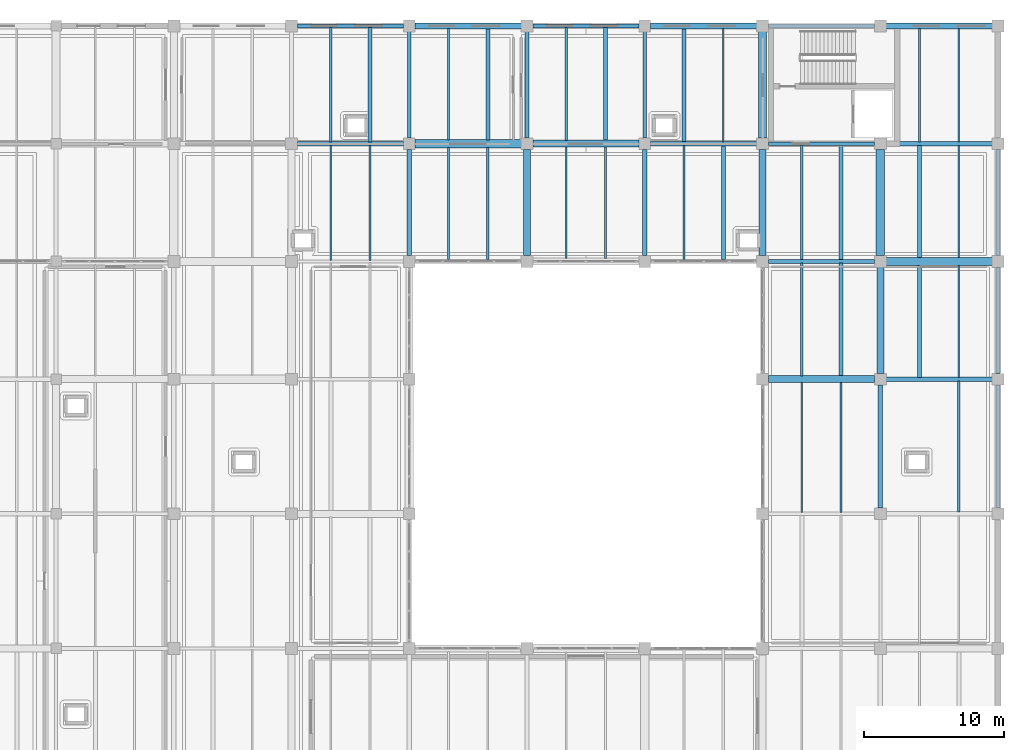
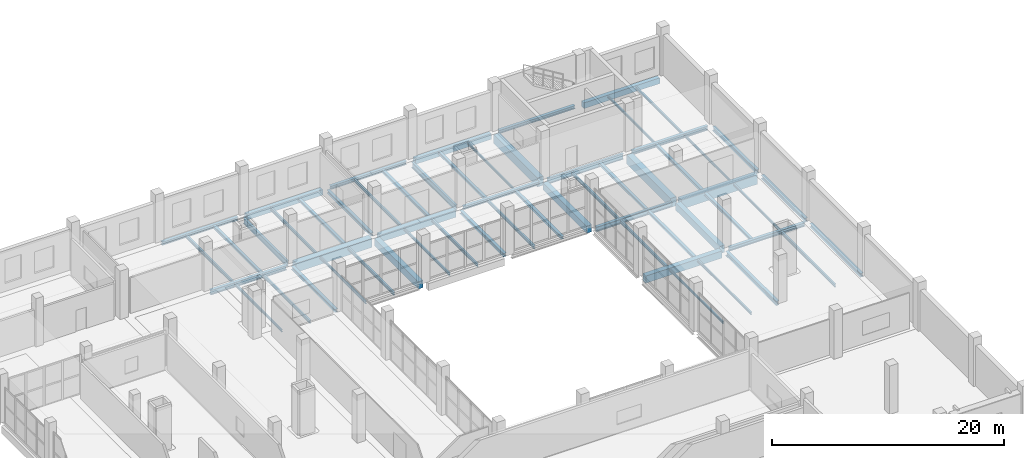
# One storey, part 37 of 66: 59 beams.
"""IFC4 building model written with IfcOpenShell, lengths in metres."""

from ifc_helpers import new_model, si_unit, direction, frame, origin, origin_2d, place, context, subcontext, project, spatial, rectangle, i_section, extrude, material, material_profile, profile_set, type_object, element, save


model = new_model("IFC4")

# Units and contexts
model_context = context("Model", 3, precision=1e-05, world=origin(), true_north=direction((0.0, 1.0)))
body_context = subcontext(model_context, "Body", "Model", "MODEL_VIEW")
ifc_project = project(units=[si_unit("LENGTHUNIT", "METRE"), si_unit("AREAUNIT", "SQUARE_METRE"), si_unit("VOLUMEUNIT", "CUBIC_METRE"), si_unit("PLANEANGLEUNIT", "RADIAN"), si_unit("MASSUNIT", "GRAM", prefix="KILO")], contexts=[model_context])

# Site, building, storey
site_placement = place(None, origin())
site = spatial("IfcSite", under=ifc_project, at=site_placement, CompositionType="ELEMENT")
building_placement = place(site_placement, origin())
building = spatial("IfcBuilding", under=site, at=building_placement, Name="Zulmaris Art Gallery", CompositionType="ELEMENT")
storey_placement = place(building_placement, frame((0.0, 0.0, 5.39990234375)))
storey = spatial("IfcBuildingStorey", under=building, at=storey_placement, Name="L01", CompositionType="ELEMENT", Elevation=5.39990234375)

# Beams
ifc_material_1 = material(Name="Steel S355J2", Category="steel")
ifc_material_profile_1 = material_profile(ifc_material_1, i_section(OverallWidth=0.219970703125, OverallDepth=0.60009765625, WebThickness=0.011962890625, FlangeThickness=0.01904296875, FilletRadius=0.02392578125, at=origin_2d()), Name="IPE 600")
ifc_profile_set_1 = profile_set([ifc_material_profile_1], Name="Steel S355J2")
beam_type_1 = type_object("IfcBeamType", Name="BEAM-BM07", PredefinedType="BEAM", material=ifc_profile_set_1)
beam_1_placement = place(storey_placement, frame((184.010009765625, 67.199951171875, -0.6298828125), z_axis=(1.0, 0.0, 0.0), x_axis=(0.0, 1.0, 0.0)))
element("IfcBeam", 1, at=beam_1_placement, inside=storey, type_object=beam_type_1, Name="L01 X-girder (183.6..192.0, y=67.2)", PredefinedType="BEAM", context=body_context, shape_type="SweptSolid", body=[
    extrude(i_section(OverallWidth=0.219970703125, OverallDepth=0.60009765625, WebThickness=0.011962890625, FlangeThickness=0.01904296875, FilletRadius=0.02392578125, at=origin_2d()), origin(), (0.0, 0.0, 1.0), 7.580078125),
])
for number, where, z_axis, x_axis, name in (
    (2, (158.39990234375, 67.610107421875, -0.6298828125), (0.0, 1.0, 0.0), (-1.0, 0.0, 0.0), "L01 Y-girder (x=158.4, 67.2..75.6)"),
    (3, (175.199951171875, 67.610107421875, -0.6298828125), (0.0, 1.0, 0.0), (-1.0, 0.0, 0.0), "L01 Y-girder (x=175.2, 67.2..75.6)"),
):
    element("IfcBeam", number, at=place(storey_placement, frame(where, z_axis=z_axis, x_axis=x_axis)), inside=storey, type_object=beam_type_1, Name=name, PredefinedType="BEAM", context=body_context, shape_type="SweptSolid", body=[
        extrude(i_section(OverallWidth=0.219970703125, OverallDepth=0.60009765625, WebThickness=0.011962890625, FlangeThickness=0.01904296875, FilletRadius=0.02392578125, at=origin_2d()), origin(), (0.0, 0.0, 1.0), 7.579833984375),
    ])
ifc_material_profile_2 = material_profile(ifc_material_1, i_section(OverallWidth=0.300048828125, OverallDepth=0.330078125, WebThickness=0.009521484375, FlangeThickness=0.0166015625, FilletRadius=0.027099609375, at=origin_2d()), Name="HEA 340")
ifc_profile_set_2 = profile_set([ifc_material_profile_2], Name="Steel S355J2")
beam_type_2 = type_object("IfcBeamType", Name="BEAM-BM08", PredefinedType="BEAM", material=ifc_profile_set_2)
beam_2_placement = place(storey_placement, frame((175.610107421875, 67.199951171875, -0.494873046875), z_axis=(1.0, 0.0, 0.0), x_axis=(0.0, 1.0, 0.0)))
element("IfcBeam", 4, at=beam_2_placement, inside=storey, type_object=beam_type_2, Name="L01 X-girder (175.2..183.6, y=67.2)", PredefinedType="BEAM", context=body_context, shape_type="SweptSolid", body=[
    extrude(i_section(OverallWidth=0.300048828125, OverallDepth=0.330078125, WebThickness=0.009521484375, FlangeThickness=0.0166015625, FilletRadius=0.027099609375, at=origin_2d()), origin(), (0.0, 0.0, 1.0), 7.579833984375),
])
beam_3_placement = place(storey_placement, frame((158.39990234375, 59.2099609375, -0.494873046875), z_axis=(0.0, 1.0, 0.0), x_axis=(-1.0, 0.0, 0.0)))
element("IfcBeam", 5, at=beam_3_placement, inside=storey, type_object=beam_type_2, Name="L01 Y-girder (x=158.4, 58.8..67.2)", PredefinedType="BEAM", context=body_context, shape_type="SweptSolid", body=[
    extrude(i_section(OverallWidth=0.300048828125, OverallDepth=0.330078125, WebThickness=0.009521484375, FlangeThickness=0.0166015625, FilletRadius=0.027099609375, at=origin_2d()), origin(), (0.0, 0.0, 1.0), 7.580078125),
])
beam_4_placement = place(storey_placement, frame((166.800048828125, 67.610107421875, -0.494873046875), z_axis=(0.0, 1.0, 0.0), x_axis=(-1.0, 0.0, 0.0)))
element("IfcBeam", 6, at=beam_4_placement, inside=storey, type_object=beam_type_2, Name="L01 Y-girder (x=166.8, 67.2..75.6)", PredefinedType="BEAM", context=body_context, shape_type="SweptSolid", body=[
    extrude(i_section(OverallWidth=0.300048828125, OverallDepth=0.330078125, WebThickness=0.009521484375, FlangeThickness=0.0166015625, FilletRadius=0.027099609375, at=origin_2d()), origin(), (0.0, 0.0, 1.0), 7.579833984375),
])
beam_5_placement = place(storey_placement, frame((175.199951171875, 59.2099609375, -0.494873046875), z_axis=(0.0, 1.0, 0.0), x_axis=(-1.0, 0.0, 0.0)))
element("IfcBeam", 7, at=beam_5_placement, inside=storey, type_object=beam_type_2, Name="L01 Y-girder (x=175.2, 58.8..67.2)", PredefinedType="BEAM", context=body_context, shape_type="SweptSolid", body=[
    extrude(i_section(OverallWidth=0.300048828125, OverallDepth=0.330078125, WebThickness=0.009521484375, FlangeThickness=0.0166015625, FilletRadius=0.027099609375, at=origin_2d()), origin(), (0.0, 0.0, 1.0), 7.580078125),
])
ifc_material_profile_3 = material_profile(ifc_material_1, i_section(OverallWidth=0.300048828125, OverallDepth=0.389892578125, WebThickness=0.010986328125, FlangeThickness=0.01904296875, FilletRadius=0.027099609375, at=origin_2d()), Name="HEA 400")
ifc_profile_set_3 = profile_set([ifc_material_profile_3], Name="Steel S355J2")
beam_type_3 = type_object("IfcBeamType", Name="BEAM-BM09", PredefinedType="BEAM", material=ifc_profile_set_3)
beam_6_placement = place(storey_placement, frame((192.409912109375, 50.39990234375, -0.52490234375), z_axis=(1.0, 0.0, 0.0), x_axis=(0.0, 1.0, 0.0)))
element("IfcBeam", 8, at=beam_6_placement, inside=storey, type_object=beam_type_3, Name="L01 X-girder (192.0..200.4, y=50.4)", PredefinedType="BEAM", context=body_context, shape_type="SweptSolid", body=[
    extrude(i_section(OverallWidth=0.300048828125, OverallDepth=0.389892578125, WebThickness=0.010986328125, FlangeThickness=0.01904296875, FilletRadius=0.027099609375, at=origin_2d()), origin(), (0.0, 0.0, 1.0), 7.580078125),
])
ifc_material_profile_4 = material_profile(ifc_material_1, i_section(OverallWidth=0.300048828125, OverallDepth=0.449951171875, WebThickness=0.013916015625, FlangeThickness=0.02587890625, FilletRadius=0.027099609375, at=origin_2d()), Name="HEB 450")
ifc_profile_set_4 = profile_set([ifc_material_profile_4], Name="Steel S355J2")
beam_type_4 = type_object("IfcBeamType", Name="BEAM-BM13", PredefinedType="BEAM", material=ifc_profile_set_4)
beam_7_placement = place(storey_placement, frame((192.409912109375, 67.199951171875, -0.554931640625), z_axis=(1.0, 0.0, 0.0), x_axis=(0.0, 1.0, 0.0)))
element("IfcBeam", 9, at=beam_7_placement, inside=storey, type_object=beam_type_4, Name="L01 X-girder (192.0..200.4, y=67.2)", PredefinedType="BEAM", context=body_context, shape_type="SweptSolid", body=[
    extrude(i_section(OverallWidth=0.300048828125, OverallDepth=0.449951171875, WebThickness=0.013916015625, FlangeThickness=0.02587890625, FilletRadius=0.027099609375, at=origin_2d()), origin(), (0.0, 0.0, 1.0), 7.580078125),
])
beam_8_placement = place(storey_placement, frame((192.0, 41.2099609375, -0.554931640625), z_axis=(0.0, 1.0, 0.0), x_axis=(-1.0, 0.0, 0.0)))
element("IfcBeam", 10, at=beam_8_placement, inside=storey, type_object=beam_type_4, Name="L01 Y-girder (x=192.0, 40.8..50.4)", PredefinedType="BEAM", context=body_context, shape_type="SweptSolid", body=[
    extrude(i_section(OverallWidth=0.300048828125, OverallDepth=0.449951171875, WebThickness=0.013916015625, FlangeThickness=0.02587890625, FilletRadius=0.027099609375, at=origin_2d()), origin(), (0.0, 0.0, 1.0), 8.780029296875),
])
ifc_material_profile_5 = material_profile(ifc_material_1, i_section(OverallWidth=0.300048828125, OverallDepth=0.5, WebThickness=0.014404296875, FlangeThickness=0.028076171875, FilletRadius=0.027099609375, at=origin_2d()), Name="HEB 500")
ifc_profile_set_5 = profile_set([ifc_material_profile_5], Name="Steel S355J2")
beam_type_5 = type_object("IfcBeamType", Name="BEAM-BM14", PredefinedType="BEAM", material=ifc_profile_set_5)
for number, where, z_axis, x_axis, name in (
    (11, (184.010009765625, 58.800048828125, -0.579833984375), (1.0, 0.0, 0.0), (0.0, 1.0, 0.0), "L01 X-girder (183.6..192.0, y=58.8)"),
    (12, (150.409912109375, 67.199951171875, -0.579833984375), (1.0, 0.0, 0.0), (0.0, 1.0, 0.0), "L01 X-girder (150.0..158.4, y=67.2)"),
):
    element("IfcBeam", number, at=place(storey_placement, frame(where, z_axis=z_axis, x_axis=x_axis)), inside=storey, type_object=beam_type_5, Name=name, PredefinedType="BEAM", context=body_context, shape_type="SweptSolid", body=[
        extrude(i_section(OverallWidth=0.300048828125, OverallDepth=0.5, WebThickness=0.014404296875, FlangeThickness=0.028076171875, FilletRadius=0.027099609375, at=origin_2d()), origin(), (0.0, 0.0, 1.0), 7.580078125),
    ])
ifc_material_2 = material(Name="Concrete C40/50", Category="concrete")
ifc_material_profile_6 = material_profile(ifc_material_2, rectangle(XDim=0.5, YDim=0.75, at=origin_2d()), Name="RC 500x750")
ifc_profile_set_6 = profile_set([ifc_material_profile_6], Name="Concrete C40/50")
beam_type_6 = type_object("IfcBeamType", Name="BEAM-BM20", PredefinedType="BEAM", material=ifc_profile_set_6)
for number, where, z_axis, x_axis, name in (
    (13, (184.010009765625, 50.39990234375, -0.704833984375), (1.0, 0.0, 0.0), (0.0, 1.0, 0.0), "L01 X-girder (183.6..192.0, y=50.4)"),
    (14, (167.2099609375, 67.199951171875, -0.704833984375), (1.0, 0.0, 0.0), (0.0, 1.0, 0.0), "L01 X-girder (166.8..175.2, y=67.2)"),
    (15, (166.800048828125, 59.2099609375, -0.704833984375), (0.0, 1.0, 0.0), (-1.0, 0.0, 0.0), "L01 Y-girder (x=166.8, 58.8..67.2)"),
    (16, (183.60009765625, 59.2099609375, -0.704833984375), (0.0, 1.0, 0.0), (-1.0, 0.0, 0.0), "L01 Y-girder (x=183.6, 58.8..67.2)"),
):
    element("IfcBeam", number, at=place(storey_placement, frame(where, z_axis=z_axis, x_axis=x_axis)), inside=storey, type_object=beam_type_6, Name=name, PredefinedType="BEAM", context=body_context, shape_type="SweptSolid", body=[
        extrude(rectangle(XDim=0.5, YDim=0.75, at=origin_2d()), origin(), (0.0, 0.0, 1.0), 7.580078125),
    ])
beam_9_placement = place(storey_placement, frame((192.0, 50.81005859375, -0.704833984375), z_axis=(0.0, 1.0, 0.0), x_axis=(-1.0, 0.0, 0.0)))
element("IfcBeam", 17, at=beam_9_placement, inside=storey, type_object=beam_type_6, Name="L01 Y-girder (x=192.0, 50.4..58.8)", PredefinedType="BEAM", context=body_context, shape_type="SweptSolid", body=[
    extrude(rectangle(XDim=0.5, YDim=0.75, at=origin_2d()), origin(), (0.0, 0.0, 1.0), 7.579833984375),
])
ifc_material_profile_7 = material_profile(ifc_material_2, rectangle(XDim=0.60009765625, YDim=0.949951171875, at=origin_2d()), Name="RC 600x950")
ifc_profile_set_7 = profile_set([ifc_material_profile_7], Name="Concrete C40/50")
beam_type_7 = type_object("IfcBeamType", Name="BEAM-BM22", PredefinedType="BEAM", material=ifc_profile_set_7)
beam_10_placement = place(storey_placement, frame((192.409912109375, 58.800048828125, -0.804931640625), z_axis=(1.0, 0.0, 0.0), x_axis=(0.0, 1.0, 0.0)))
element("IfcBeam", 18, at=beam_10_placement, inside=storey, type_object=beam_type_7, Name="L01 X-girder (192.0..200.4, y=58.8)", PredefinedType="BEAM", context=body_context, shape_type="SweptSolid", body=[
    extrude(rectangle(XDim=0.60009765625, YDim=0.949951171875, at=origin_2d()), origin(), (0.0, 0.0, 1.0), 7.580078125),
])
for number, where, z_axis, x_axis, name in (
    (19, (158.81005859375, 67.199951171875, -0.804931640625), (1.0, 0.0, 0.0), (0.0, 1.0, 0.0), "L01 X-girder (158.4..166.8, y=67.2)"),
    (20, (183.60009765625, 67.610107421875, -0.804931640625), (0.0, 1.0, 0.0), (-1.0, 0.0, 0.0), "L01 Y-girder (x=183.6, 67.2..75.6)"),
):
    element("IfcBeam", number, at=place(storey_placement, frame(where, z_axis=z_axis, x_axis=x_axis)), inside=storey, type_object=beam_type_7, Name=name, PredefinedType="BEAM", context=body_context, shape_type="SweptSolid", body=[
        extrude(rectangle(XDim=0.60009765625, YDim=0.949951171875, at=origin_2d()), origin(), (0.0, 0.0, 1.0), 7.579833984375),
    ])
beam_11_placement = place(storey_placement, frame((192.0, 59.2099609375, -0.804931640625), z_axis=(0.0, 1.0, 0.0), x_axis=(-1.0, 0.0, 0.0)))
element("IfcBeam", 21, at=beam_11_placement, inside=storey, type_object=beam_type_7, Name="L01 Y-girder (x=192.0, 58.8..67.2)", PredefinedType="BEAM", context=body_context, shape_type="SweptSolid", body=[
    extrude(rectangle(XDim=0.60009765625, YDim=0.949951171875, at=origin_2d()), origin(), (0.0, 0.0, 1.0), 7.580078125),
])
ifc_material_profile_8 = material_profile(ifc_material_1, i_section(OverallWidth=0.1201171875, OverallDepth=0.239990234375, WebThickness=0.006103515625, FlangeThickness=0.009765625, FilletRadius=0.014892578125, at=origin_2d()), Name="IPE 240")
ifc_profile_set_8 = profile_set([ifc_material_profile_8], Name="Steel S355J2")
beam_type_8 = type_object("IfcBeamType", Name="BEAM-JS01", PredefinedType="JOIST", material=ifc_profile_set_8)
beam_12_placement = place(storey_placement, frame((180.800048828125, 67.324951171875, -0.449951171875), z_axis=(0.0, 1.0, 0.0), x_axis=(-1.0, 0.0, 0.0)))
element("IfcBeam", 22, at=beam_12_placement, inside=storey, type_object=beam_type_8, Name="L01 secondary joist at x=180.8", PredefinedType="JOIST", context=body_context, shape_type="SweptSolid", body=[
    extrude(i_section(OverallWidth=0.1201171875, OverallDepth=0.239990234375, WebThickness=0.006103515625, FlangeThickness=0.009765625, FilletRadius=0.014892578125, at=origin_2d()), origin(), (0.0, 0.0, 1.0), 8.10009765625),
])
beam_13_placement = place(storey_placement, frame((186.39990234375, 40.885009765625, -0.449951171875), z_axis=(0.0, 1.0, 0.0), x_axis=(-1.0, 0.0, 0.0)))
element("IfcBeam", 23, at=beam_13_placement, inside=storey, type_object=beam_type_8, Name="L01 secondary joist at x=186.4", PredefinedType="JOIST", context=body_context, shape_type="SweptSolid", body=[
    extrude(i_section(OverallWidth=0.1201171875, OverallDepth=0.239990234375, WebThickness=0.006103515625, FlangeThickness=0.009765625, FilletRadius=0.014892578125, at=origin_2d()), origin(), (0.0, 0.0, 1.0), 9.2900390625),
])
for number, where, z_axis, x_axis, name in (
    (24, (197.60009765625, 50.52490234375, -0.449951171875), (0.0, 1.0, 0.0), (-1.0, 0.0, 0.0), "L01 secondary joist at x=197.6"),
    (25, (197.60009765625, 59.074951171875, -0.449951171875), (0.0, 1.0, 0.0), (-1.0, 0.0, 0.0), "L01 secondary joist at x=197.6"),
):
    element("IfcBeam", number, at=place(storey_placement, frame(where, z_axis=z_axis, x_axis=x_axis)), inside=storey, type_object=beam_type_8, Name=name, PredefinedType="JOIST", context=body_context, shape_type="SweptSolid", body=[
        extrude(i_section(OverallWidth=0.1201171875, OverallDepth=0.239990234375, WebThickness=0.006103515625, FlangeThickness=0.009765625, FilletRadius=0.014892578125, at=origin_2d()), origin(), (0.0, 0.0, 1.0), 8.0),
    ])
beam_14_placement = place(storey_placement, frame((194.800048828125, 67.324951171875, -0.449951171875), z_axis=(0.0, 1.0, 0.0), x_axis=(-1.0, 0.0, 0.0)))
element("IfcBeam", 26, at=beam_14_placement, inside=storey, type_object=beam_type_8, Name="L01 secondary joist at x=194.8", PredefinedType="JOIST", context=body_context, shape_type="SweptSolid", body=[
    extrude(i_section(OverallWidth=0.1201171875, OverallDepth=0.239990234375, WebThickness=0.006103515625, FlangeThickness=0.009765625, FilletRadius=0.014892578125, at=origin_2d()), origin(), (0.0, 0.0, 1.0), 8.10009765625),
])
ifc_material_profile_9 = material_profile(ifc_material_1, i_section(OverallWidth=0.135009765625, OverallDepth=0.27001953125, WebThickness=0.006591796875, FlangeThickness=0.01025390625, FilletRadius=0.014892578125, at=origin_2d()), Name="IPE 270")
ifc_profile_set_9 = profile_set([ifc_material_profile_9], Name="Steel S355J2")
beam_type_9 = type_object("IfcBeamType", Name="BEAM-JS02", PredefinedType="JOIST", material=ifc_profile_set_9)
beam_15_placement = place(storey_placement, frame((152.800048828125, 58.885009765625, -0.46484375), z_axis=(0.0, 1.0, 0.0), x_axis=(-1.0, 0.0, 0.0)))
element("IfcBeam", 27, at=beam_15_placement, inside=storey, type_object=beam_type_9, Name="L01 secondary joist at x=152.8", PredefinedType="JOIST", context=body_context, shape_type="SweptSolid", body=[
    extrude(i_section(OverallWidth=0.135009765625, OverallDepth=0.27001953125, WebThickness=0.006591796875, FlangeThickness=0.01025390625, FilletRadius=0.014892578125, at=origin_2d()), origin(), (0.0, 0.0, 1.0), 8.18994140625),
])
beam_16_placement = place(storey_placement, frame((161.199951171875, 58.925048828125, -0.46484375), z_axis=(0.0, 1.0, 0.0), x_axis=(-1.0, 0.0, 0.0)))
element("IfcBeam", 28, at=beam_16_placement, inside=storey, type_object=beam_type_9, Name="L01 secondary joist at x=161.2", PredefinedType="JOIST", context=body_context, shape_type="SweptSolid", body=[
    extrude(i_section(OverallWidth=0.135009765625, OverallDepth=0.27001953125, WebThickness=0.006591796875, FlangeThickness=0.01025390625, FilletRadius=0.014892578125, at=origin_2d()), origin(), (0.0, 0.0, 1.0), 8.0),
])
beam_17_placement = place(storey_placement, frame((169.60009765625, 59.02490234375, -0.46484375), z_axis=(0.0, 1.0, 0.0), x_axis=(-1.0, 0.0, 0.0)))
element("IfcBeam", 29, at=beam_17_placement, inside=storey, type_object=beam_type_9, Name="L01 secondary joist at x=169.6", PredefinedType="JOIST", context=body_context, shape_type="SweptSolid", body=[
    extrude(i_section(OverallWidth=0.135009765625, OverallDepth=0.27001953125, WebThickness=0.006591796875, FlangeThickness=0.01025390625, FilletRadius=0.014892578125, at=origin_2d()), origin(), (0.0, 0.0, 1.0), 7.9501953125),
])
beam_18_placement = place(storey_placement, frame((189.199951171875, 40.885009765625, -0.46484375), z_axis=(0.0, 1.0, 0.0), x_axis=(-1.0, 0.0, 0.0)))
element("IfcBeam", 30, at=beam_18_placement, inside=storey, type_object=beam_type_9, Name="L01 secondary joist at x=189.2", PredefinedType="JOIST", context=body_context, shape_type="SweptSolid", body=[
    extrude(i_section(OverallWidth=0.135009765625, OverallDepth=0.27001953125, WebThickness=0.006591796875, FlangeThickness=0.01025390625, FilletRadius=0.014892578125, at=origin_2d()), origin(), (0.0, 0.0, 1.0), 9.2900390625),
])
beam_19_placement = place(storey_placement, frame((197.60009765625, 67.324951171875, -0.46484375), z_axis=(0.0, 1.0, 0.0), x_axis=(-1.0, 0.0, 0.0)))
element("IfcBeam", 31, at=beam_19_placement, inside=storey, type_object=beam_type_9, Name="L01 secondary joist at x=197.6", PredefinedType="JOIST", context=body_context, shape_type="SweptSolid", body=[
    extrude(i_section(OverallWidth=0.135009765625, OverallDepth=0.27001953125, WebThickness=0.006591796875, FlangeThickness=0.01025390625, FilletRadius=0.014892578125, at=origin_2d()), origin(), (0.0, 0.0, 1.0), 8.10009765625),
])
ifc_material_profile_10 = material_profile(ifc_material_1, i_section(OverallWidth=0.159912109375, OverallDepth=0.330078125, WebThickness=0.007568359375, FlangeThickness=0.011474609375, FilletRadius=0.01806640625, at=origin_2d()), Name="IPE 330")
ifc_profile_set_10 = profile_set([ifc_material_profile_10], Name="Steel S355J2")
beam_type_10 = type_object("IfcBeamType", Name="BEAM-JS03", PredefinedType="JOIST", material=ifc_profile_set_10)
beam_20_placement = place(storey_placement, frame((155.60009765625, 58.885009765625, -0.494873046875), z_axis=(0.0, 1.0, 0.0), x_axis=(-1.0, 0.0, 0.0)))
element("IfcBeam", 32, at=beam_20_placement, inside=storey, type_object=beam_type_10, Name="L01 secondary joist at x=155.6", PredefinedType="JOIST", context=body_context, shape_type="SweptSolid", body=[
    extrude(i_section(OverallWidth=0.159912109375, OverallDepth=0.330078125, WebThickness=0.007568359375, FlangeThickness=0.011474609375, FilletRadius=0.01806640625, at=origin_2d()), origin(), (0.0, 0.0, 1.0), 8.18994140625),
])
beam_21_placement = place(storey_placement, frame((152.800048828125, 67.324951171875, -0.494873046875), z_axis=(0.0, 1.0, 0.0), x_axis=(-1.0, 0.0, 0.0)))
element("IfcBeam", 33, at=beam_21_placement, inside=storey, type_object=beam_type_10, Name="L01 secondary joist at x=152.8", PredefinedType="JOIST", context=body_context, shape_type="SweptSolid", body=[
    extrude(i_section(OverallWidth=0.159912109375, OverallDepth=0.330078125, WebThickness=0.007568359375, FlangeThickness=0.011474609375, FilletRadius=0.01806640625, at=origin_2d()), origin(), (0.0, 0.0, 1.0), 8.150146484375),
])
beam_22_placement = place(storey_placement, frame((164.0, 58.925048828125, -0.494873046875), z_axis=(0.0, 1.0, 0.0), x_axis=(-1.0, 0.0, 0.0)))
element("IfcBeam", 34, at=beam_22_placement, inside=storey, type_object=beam_type_10, Name="L01 secondary joist at x=164.0", PredefinedType="JOIST", context=body_context, shape_type="SweptSolid", body=[
    extrude(i_section(OverallWidth=0.159912109375, OverallDepth=0.330078125, WebThickness=0.007568359375, FlangeThickness=0.011474609375, FilletRadius=0.01806640625, at=origin_2d()), origin(), (0.0, 0.0, 1.0), 8.0),
])
beam_23_placement = place(storey_placement, frame((161.199951171875, 67.47509765625, -0.494873046875), z_axis=(0.0, 1.0, 0.0), x_axis=(-1.0, 0.0, 0.0)))
element("IfcBeam", 35, at=beam_23_placement, inside=storey, type_object=beam_type_10, Name="L01 secondary joist at x=161.2", PredefinedType="JOIST", context=body_context, shape_type="SweptSolid", body=[
    extrude(i_section(OverallWidth=0.159912109375, OverallDepth=0.330078125, WebThickness=0.007568359375, FlangeThickness=0.011474609375, FilletRadius=0.01806640625, at=origin_2d()), origin(), (0.0, 0.0, 1.0), 7.949951171875),
])
beam_24_placement = place(storey_placement, frame((172.39990234375, 59.02490234375, -0.494873046875), z_axis=(0.0, 1.0, 0.0), x_axis=(-1.0, 0.0, 0.0)))
element("IfcBeam", 36, at=beam_24_placement, inside=storey, type_object=beam_type_10, Name="L01 secondary joist at x=172.4", PredefinedType="JOIST", context=body_context, shape_type="SweptSolid", body=[
    extrude(i_section(OverallWidth=0.159912109375, OverallDepth=0.330078125, WebThickness=0.007568359375, FlangeThickness=0.011474609375, FilletRadius=0.01806640625, at=origin_2d()), origin(), (0.0, 0.0, 1.0), 7.9501953125),
])
beam_25_placement = place(storey_placement, frame((169.60009765625, 67.425048828125, -0.494873046875), z_axis=(0.0, 1.0, 0.0), x_axis=(-1.0, 0.0, 0.0)))
element("IfcBeam", 37, at=beam_25_placement, inside=storey, type_object=beam_type_10, Name="L01 secondary joist at x=169.6", PredefinedType="JOIST", context=body_context, shape_type="SweptSolid", body=[
    extrude(i_section(OverallWidth=0.159912109375, OverallDepth=0.330078125, WebThickness=0.007568359375, FlangeThickness=0.011474609375, FilletRadius=0.01806640625, at=origin_2d()), origin(), (0.0, 0.0, 1.0), 8.050048828125),
])
beam_26_placement = place(storey_placement, frame((178.0, 58.925048828125, -0.494873046875), z_axis=(0.0, 1.0, 0.0), x_axis=(-1.0, 0.0, 0.0)))
element("IfcBeam", 38, at=beam_26_placement, inside=storey, type_object=beam_type_10, Name="L01 secondary joist at x=178.0", PredefinedType="JOIST", context=body_context, shape_type="SweptSolid", body=[
    extrude(i_section(OverallWidth=0.159912109375, OverallDepth=0.330078125, WebThickness=0.007568359375, FlangeThickness=0.011474609375, FilletRadius=0.01806640625, at=origin_2d()), origin(), (0.0, 0.0, 1.0), 8.14990234375),
])
beam_27_placement = place(storey_placement, frame((186.39990234375, 50.625, -0.494873046875), z_axis=(0.0, 1.0, 0.0), x_axis=(-1.0, 0.0, 0.0)))
element("IfcBeam", 39, at=beam_27_placement, inside=storey, type_object=beam_type_10, Name="L01 secondary joist at x=186.4", PredefinedType="JOIST", context=body_context, shape_type="SweptSolid", body=[
    extrude(i_section(OverallWidth=0.159912109375, OverallDepth=0.330078125, WebThickness=0.007568359375, FlangeThickness=0.011474609375, FilletRadius=0.01806640625, at=origin_2d()), origin(), (0.0, 0.0, 1.0), 8.050048828125),
])
beam_28_placement = place(storey_placement, frame((186.39990234375, 58.925048828125, -0.494873046875), z_axis=(0.0, 1.0, 0.0), x_axis=(-1.0, 0.0, 0.0)))
element("IfcBeam", 40, at=beam_28_placement, inside=storey, type_object=beam_type_10, Name="L01 secondary joist at x=186.4", PredefinedType="JOIST", context=body_context, shape_type="SweptSolid", body=[
    extrude(i_section(OverallWidth=0.159912109375, OverallDepth=0.330078125, WebThickness=0.007568359375, FlangeThickness=0.011474609375, FilletRadius=0.01806640625, at=origin_2d()), origin(), (0.0, 0.0, 1.0), 8.18994140625),
])
beam_29_placement = place(storey_placement, frame((197.60009765625, 40.925048828125, -0.494873046875), z_axis=(0.0, 1.0, 0.0), x_axis=(-1.0, 0.0, 0.0)))
element("IfcBeam", 41, at=beam_29_placement, inside=storey, type_object=beam_type_10, Name="L01 secondary joist at x=197.6", PredefinedType="JOIST", context=body_context, shape_type="SweptSolid", body=[
    extrude(i_section(OverallWidth=0.159912109375, OverallDepth=0.330078125, WebThickness=0.007568359375, FlangeThickness=0.011474609375, FilletRadius=0.01806640625, at=origin_2d()), origin(), (0.0, 0.0, 1.0), 9.349853515625),
])
ifc_material_profile_11 = material_profile(ifc_material_1, i_section(OverallWidth=0.280029296875, OverallDepth=0.27001953125, WebThickness=0.008056640625, FlangeThickness=0.012939453125, FilletRadius=0.02392578125, at=origin_2d()), Name="HEA 280")
ifc_profile_set_11 = profile_set([ifc_material_profile_11], Name="Steel S355J2")
beam_type_11 = type_object("IfcBeamType", Name="BEAM-JS04", PredefinedType="JOIST", material=ifc_profile_set_11)
beam_30_placement = place(storey_placement, frame((155.60009765625, 67.324951171875, -0.46484375), z_axis=(0.0, 1.0, 0.0), x_axis=(-1.0, 0.0, 0.0)))
element("IfcBeam", 42, at=beam_30_placement, inside=storey, type_object=beam_type_11, Name="L01 secondary joist at x=155.6", PredefinedType="JOIST", context=body_context, shape_type="SweptSolid", body=[
    extrude(i_section(OverallWidth=0.280029296875, OverallDepth=0.27001953125, WebThickness=0.008056640625, FlangeThickness=0.012939453125, FilletRadius=0.02392578125, at=origin_2d()), origin(), (0.0, 0.0, 1.0), 8.150146484375),
])
beam_31_placement = place(storey_placement, frame((164.0, 67.47509765625, -0.46484375), z_axis=(0.0, 1.0, 0.0), x_axis=(-1.0, 0.0, 0.0)))
element("IfcBeam", 43, at=beam_31_placement, inside=storey, type_object=beam_type_11, Name="L01 secondary joist at x=164.0", PredefinedType="JOIST", context=body_context, shape_type="SweptSolid", body=[
    extrude(i_section(OverallWidth=0.280029296875, OverallDepth=0.27001953125, WebThickness=0.008056640625, FlangeThickness=0.012939453125, FilletRadius=0.02392578125, at=origin_2d()), origin(), (0.0, 0.0, 1.0), 7.949951171875),
])
beam_32_placement = place(storey_placement, frame((172.39990234375, 67.425048828125, -0.46484375), z_axis=(0.0, 1.0, 0.0), x_axis=(-1.0, 0.0, 0.0)))
element("IfcBeam", 44, at=beam_32_placement, inside=storey, type_object=beam_type_11, Name="L01 secondary joist at x=172.4", PredefinedType="JOIST", context=body_context, shape_type="SweptSolid", body=[
    extrude(i_section(OverallWidth=0.280029296875, OverallDepth=0.27001953125, WebThickness=0.008056640625, FlangeThickness=0.012939453125, FilletRadius=0.02392578125, at=origin_2d()), origin(), (0.0, 0.0, 1.0), 8.050048828125),
])
beam_33_placement = place(storey_placement, frame((180.800048828125, 58.925048828125, -0.46484375), z_axis=(0.0, 1.0, 0.0), x_axis=(-1.0, 0.0, 0.0)))
element("IfcBeam", 45, at=beam_33_placement, inside=storey, type_object=beam_type_11, Name="L01 secondary joist at x=180.8", PredefinedType="JOIST", context=body_context, shape_type="SweptSolid", body=[
    extrude(i_section(OverallWidth=0.280029296875, OverallDepth=0.27001953125, WebThickness=0.008056640625, FlangeThickness=0.012939453125, FilletRadius=0.02392578125, at=origin_2d()), origin(), (0.0, 0.0, 1.0), 8.14990234375),
])
beam_34_placement = place(storey_placement, frame((178.0, 67.324951171875, -0.46484375), z_axis=(0.0, 1.0, 0.0), x_axis=(-1.0, 0.0, 0.0)))
element("IfcBeam", 46, at=beam_34_placement, inside=storey, type_object=beam_type_11, Name="L01 secondary joist at x=178.0", PredefinedType="JOIST", context=body_context, shape_type="SweptSolid", body=[
    extrude(i_section(OverallWidth=0.280029296875, OverallDepth=0.27001953125, WebThickness=0.008056640625, FlangeThickness=0.012939453125, FilletRadius=0.02392578125, at=origin_2d()), origin(), (0.0, 0.0, 1.0), 8.10009765625),
])
beam_35_placement = place(storey_placement, frame((189.199951171875, 50.625, -0.46484375), z_axis=(0.0, 1.0, 0.0), x_axis=(-1.0, 0.0, 0.0)))
element("IfcBeam", 47, at=beam_35_placement, inside=storey, type_object=beam_type_11, Name="L01 secondary joist at x=189.2", PredefinedType="JOIST", context=body_context, shape_type="SweptSolid", body=[
    extrude(i_section(OverallWidth=0.280029296875, OverallDepth=0.27001953125, WebThickness=0.008056640625, FlangeThickness=0.012939453125, FilletRadius=0.02392578125, at=origin_2d()), origin(), (0.0, 0.0, 1.0), 8.050048828125),
])
beam_36_placement = place(storey_placement, frame((189.199951171875, 58.925048828125, -0.46484375), z_axis=(0.0, 1.0, 0.0), x_axis=(-1.0, 0.0, 0.0)))
element("IfcBeam", 48, at=beam_36_placement, inside=storey, type_object=beam_type_11, Name="L01 secondary joist at x=189.2", PredefinedType="JOIST", context=body_context, shape_type="SweptSolid", body=[
    extrude(i_section(OverallWidth=0.280029296875, OverallDepth=0.27001953125, WebThickness=0.008056640625, FlangeThickness=0.012939453125, FilletRadius=0.02392578125, at=origin_2d()), origin(), (0.0, 0.0, 1.0), 8.18994140625),
])
for number, where, z_axis, x_axis, name in (
    (49, (194.800048828125, 50.52490234375, -0.46484375), (0.0, 1.0, 0.0), (-1.0, 0.0, 0.0), "L01 secondary joist at x=194.8"),
    (50, (194.800048828125, 59.074951171875, -0.46484375), (0.0, 1.0, 0.0), (-1.0, 0.0, 0.0), "L01 secondary joist at x=194.8"),
):
    element("IfcBeam", number, at=place(storey_placement, frame(where, z_axis=z_axis, x_axis=x_axis)), inside=storey, type_object=beam_type_11, Name=name, PredefinedType="JOIST", context=body_context, shape_type="SweptSolid", body=[
        extrude(i_section(OverallWidth=0.280029296875, OverallDepth=0.27001953125, WebThickness=0.008056640625, FlangeThickness=0.012939453125, FilletRadius=0.02392578125, at=origin_2d()), origin(), (0.0, 0.0, 1.0), 8.0),
    ])
ifc_material_profile_12 = material_profile(ifc_material_1, i_section(OverallWidth=0.300048828125, OverallDepth=0.35009765625, WebThickness=0.010009765625, FlangeThickness=0.017578125, FilletRadius=0.027099609375, at=origin_2d()), Name="HEA 360")
ifc_profile_set_12 = profile_set([ifc_material_profile_12], Name="Steel S355J2")
beam_type_12 = type_object("IfcBeamType", Name="BEAM-SP01", PredefinedType="SPANDREL", material=ifc_profile_set_12)
for number, where, z_axis, x_axis, name in (
    (51, (150.409912109375, 75.60009765625, -0.5048828125), (1.0, 0.0, 0.0), (0.0, 1.0, 0.0), "L01 X-girder (150.0..158.4, y=75.6)"),
    (52, (167.2099609375, 75.60009765625, -0.5048828125), (1.0, 0.0, 0.0), (0.0, 1.0, 0.0), "L01 X-girder (166.8..175.2, y=75.6)"),
    (53, (184.010009765625, 75.60009765625, -0.5048828125), (1.0, 0.0, 0.0), (0.0, 1.0, 0.0), "L01 X-girder (183.6..192.0, y=75.6)"),
):
    element("IfcBeam", number, at=place(storey_placement, frame(where, z_axis=z_axis, x_axis=x_axis)), inside=storey, type_object=beam_type_12, Name=name, PredefinedType="SPANDREL", context=body_context, shape_type="SweptSolid", body=[
        extrude(i_section(OverallWidth=0.300048828125, OverallDepth=0.35009765625, WebThickness=0.010009765625, FlangeThickness=0.017578125, FilletRadius=0.027099609375, at=origin_2d()), origin(), (0.0, 0.0, 1.0), 7.580078125),
    ])
ifc_material_profile_13 = material_profile(ifc_material_1, i_section(OverallWidth=0.300048828125, OverallDepth=0.39990234375, WebThickness=0.013427734375, FlangeThickness=0.02392578125, FilletRadius=0.027099609375, at=origin_2d()), Name="HEB 400")
ifc_profile_set_13 = profile_set([ifc_material_profile_13], Name="Steel S355J2")
beam_type_13 = type_object("IfcBeamType", Name="BEAM-SP02", PredefinedType="SPANDREL", material=ifc_profile_set_13)
beam_37_placement = place(storey_placement, frame((200.39990234375, 41.2099609375, -0.52978515625), z_axis=(0.0, 1.0, 0.0), x_axis=(-1.0, 0.0, 0.0)))
element("IfcBeam", 54, at=beam_37_placement, inside=storey, type_object=beam_type_13, Name="L01 Y-girder (x=200.4, 40.8..50.4)", PredefinedType="SPANDREL", context=body_context, shape_type="SweptSolid", body=[
    extrude(i_section(OverallWidth=0.300048828125, OverallDepth=0.39990234375, WebThickness=0.013427734375, FlangeThickness=0.02392578125, FilletRadius=0.027099609375, at=origin_2d()), origin(), (0.0, 0.0, 1.0), 8.780029296875),
])
beam_38_placement = place(storey_placement, frame((200.39990234375, 50.81005859375, -0.52978515625), z_axis=(0.0, 1.0, 0.0), x_axis=(-1.0, 0.0, 0.0)))
element("IfcBeam", 55, at=beam_38_placement, inside=storey, type_object=beam_type_13, Name="L01 Y-girder (x=200.4, 50.4..58.8)", PredefinedType="SPANDREL", context=body_context, shape_type="SweptSolid", body=[
    extrude(i_section(OverallWidth=0.300048828125, OverallDepth=0.39990234375, WebThickness=0.013427734375, FlangeThickness=0.02392578125, FilletRadius=0.027099609375, at=origin_2d()), origin(), (0.0, 0.0, 1.0), 7.579833984375),
])
beam_39_placement = place(storey_placement, frame((200.39990234375, 59.2099609375, -0.52978515625), z_axis=(0.0, 1.0, 0.0), x_axis=(-1.0, 0.0, 0.0)))
element("IfcBeam", 56, at=beam_39_placement, inside=storey, type_object=beam_type_13, Name="L01 Y-girder (x=200.4, 58.8..67.2)", PredefinedType="SPANDREL", context=body_context, shape_type="SweptSolid", body=[
    extrude(i_section(OverallWidth=0.300048828125, OverallDepth=0.39990234375, WebThickness=0.013427734375, FlangeThickness=0.02392578125, FilletRadius=0.027099609375, at=origin_2d()), origin(), (0.0, 0.0, 1.0), 7.580078125),
])
ifc_material_profile_14 = material_profile(ifc_material_2, rectangle(XDim=0.39990234375, YDim=0.60009765625, at=origin_2d()), Name="RC 400x600")
ifc_profile_set_14 = profile_set([ifc_material_profile_14], Name="Concrete C40/50")
beam_type_14 = type_object("IfcBeamType", Name="BEAM-SP03", PredefinedType="SPANDREL", material=ifc_profile_set_14)
for number, where, z_axis, x_axis, name in (
    (57, (158.81005859375, 75.60009765625, -0.6298828125), (1.0, 0.0, 0.0), (0.0, 1.0, 0.0), "L01 X-girder (158.4..166.8, y=75.6)"),
    (58, (175.610107421875, 75.60009765625, -0.6298828125), (1.0, 0.0, 0.0), (0.0, 1.0, 0.0), "L01 X-girder (175.2..183.6, y=75.6)"),
):
    element("IfcBeam", number, at=place(storey_placement, frame(where, z_axis=z_axis, x_axis=x_axis)), inside=storey, type_object=beam_type_14, Name=name, PredefinedType="SPANDREL", context=body_context, shape_type="SweptSolid", body=[
        extrude(rectangle(XDim=0.39990234375, YDim=0.60009765625, at=origin_2d()), origin(), (0.0, 0.0, 1.0), 7.579833984375),
    ])
beam_40_placement = place(storey_placement, frame((192.409912109375, 75.60009765625, -0.6298828125), z_axis=(1.0, 0.0, 0.0), x_axis=(0.0, 1.0, 0.0)))
element("IfcBeam", 59, at=beam_40_placement, inside=storey, type_object=beam_type_14, Name="L01 X-girder (192.0..200.4, y=75.6)", PredefinedType="SPANDREL", context=body_context, shape_type="SweptSolid", body=[
    extrude(rectangle(XDim=0.39990234375, YDim=0.60009765625, at=origin_2d()), origin(), (0.0, 0.0, 1.0), 7.580078125),
])

save(model, "model.ifc")
